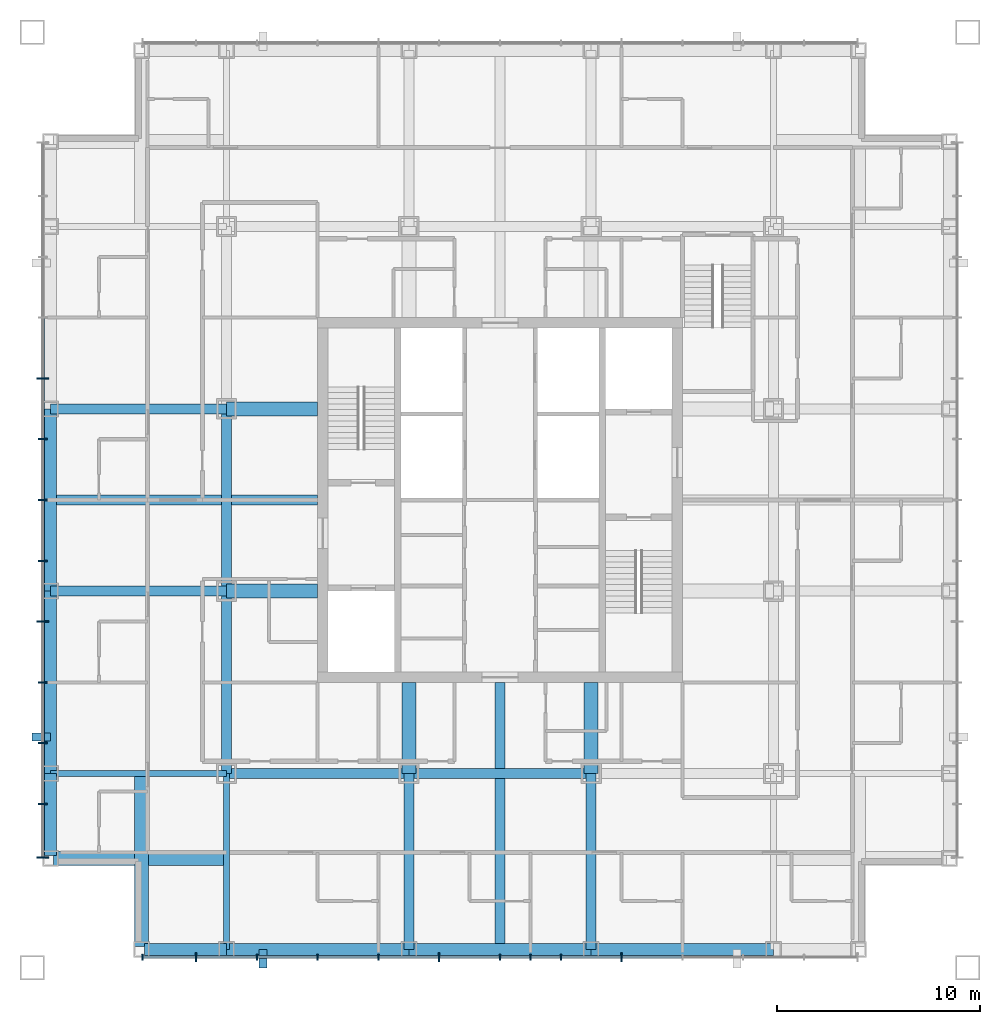
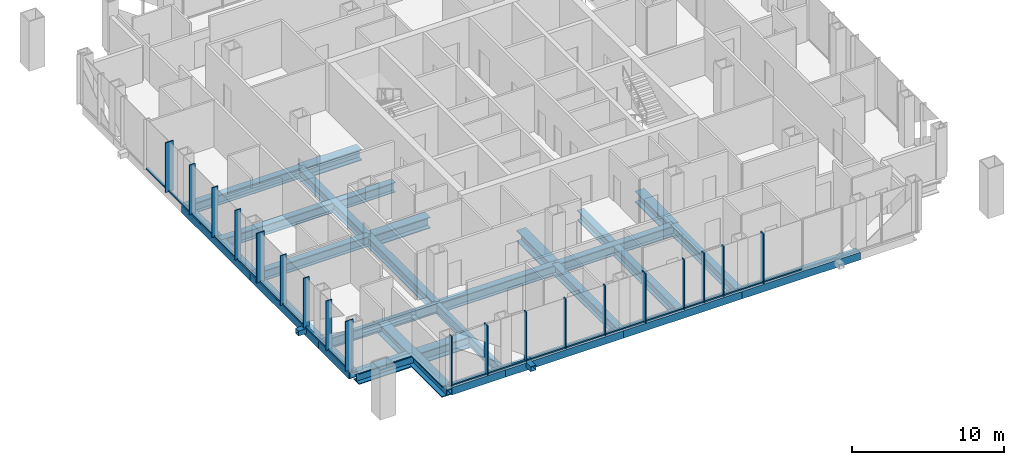
# One storey, part 2 of 11: 40 members, 25 beams, 2 elements without a shape of their own.
"""IFC4 building model written with IfcOpenShell, lengths in metres."""

from ifc_helpers import new_model, si_unit, direction, frame, origin, origin_2d, place, context, subcontext, project, spatial, rectangle, hollow_rectangle, i_section, extrude, material, layer, layer_set, material_profile, profile_set, type_object, element, aggregate, save


model = new_model("IFC4")

# Units and contexts
model_context = context("Model", 3, precision=1e-05, world=origin(), true_north=direction((0.0, 1.0)))
body_context = subcontext(model_context, "Body", "Model", "MODEL_VIEW")
ifc_project = project(units=[si_unit("LENGTHUNIT", "METRE"), si_unit("AREAUNIT", "SQUARE_METRE"), si_unit("VOLUMEUNIT", "CUBIC_METRE"), si_unit("PLANEANGLEUNIT", "RADIAN"), si_unit("MASSUNIT", "GRAM", prefix="KILO")], contexts=[model_context])

# Site, building, storey
site_placement = place(None, origin())
site = spatial("IfcSite", under=ifc_project, at=site_placement, CompositionType="ELEMENT")
building_placement = place(site_placement, origin())
building = spatial("IfcBuilding", under=site, at=building_placement, Name="Malebo Sky Hospital", CompositionType="ELEMENT")
storey_placement = place(building_placement, frame((0.0, 0.0, 201.0)))
storey = spatial("IfcBuildingStorey", under=building, at=storey_placement, Name="L48", CompositionType="ELEMENT", Elevation=201.0)

# Curtain wall, members
ifc_material_1 = material(Name="Anodised aluminium, natural silver", Category="aluminium")
ifc_layer_1 = layer(ifc_material_1, 0.25)
ifc_layer_set_1 = layer_set([ifc_layer_1], Name="WARD CURTAIN WALL EAST AND WEST")
curtain_wall_type_1 = type_object("IfcCurtainWallType", Name="WARD CURTAIN WALL EAST AND WEST", PredefinedType="NOTDEFINED", material=ifc_layer_set_1)
curtain_wall_1_placement = place(storey_placement, origin())
curtain_wall_1 = element("IfcCurtainWall", 1, at=curtain_wall_1_placement, inside=storey, type_object=curtain_wall_type_1, Name="EW curtain wall W", PredefinedType="NOTDEFINED")
ifc_material_profile_1 = material_profile(ifc_material_1, rectangle(XDim=0.14990234375, YDim=0.10009765625, at=origin_2d()), Name="ALUMINIUM TRANSOM 150x100")
ifc_profile_set_1 = profile_set([ifc_material_profile_1], Name="Anodised aluminium, natural silver")
member_type_1 = type_object("IfcMemberType", Name="ALUMINIUM TRANSOM 150x100", PredefinedType="USERDEFINED", material=ifc_profile_set_1)
member_1_placement = place(storey_placement, frame((37.425048828125, 44.375, 0.050048828125), z_axis=(0.0, 1.0, 0.0), x_axis=(-1.0, 0.0, 0.0)))
member_1 = element("IfcMember", 2, at=member_1_placement, type_object=member_type_1, Name="Transom 1", ObjectType="TRANSOM", PredefinedType="USERDEFINED", context=body_context, shape_type="SweptSolid", body=[
    extrude(rectangle(XDim=0.14990234375, YDim=0.10009765625, at=origin_2d()), origin(), (0.0, 0.0, 1.0), 2.58740234375),
])
member_2_placement = place(storey_placement, frame((37.425048828125, 47.03759765625, 0.050048828125), z_axis=(0.0, 1.0, 0.0), x_axis=(-1.0, 0.0, 0.0)))
member_2 = element("IfcMember", 3, at=member_2_placement, type_object=member_type_1, Name="Transom 2", ObjectType="TRANSOM", PredefinedType="USERDEFINED", context=body_context, shape_type="SweptSolid", body=[
    extrude(rectangle(XDim=0.14990234375, YDim=0.10009765625, at=origin_2d()), origin(), (0.0, 0.0, 1.0), 2.9248046875),
])
member_3_placement = place(storey_placement, frame((37.425048828125, 50.03759765625, 0.050048828125), z_axis=(0.0, 1.0, 0.0), x_axis=(-1.0, 0.0, 0.0)))
member_3 = element("IfcMember", 4, at=member_3_placement, type_object=member_type_1, Name="Transom 3", ObjectType="TRANSOM", PredefinedType="USERDEFINED", context=body_context, shape_type="SweptSolid", body=[
    extrude(rectangle(XDim=0.14990234375, YDim=0.10009765625, at=origin_2d()), origin(), (0.0, 0.0, 1.0), 2.9248046875),
])
member_4_placement = place(storey_placement, frame((37.425048828125, 53.03759765625, 0.050048828125), z_axis=(0.0, 1.0, 0.0), x_axis=(-1.0, 0.0, 0.0)))
member_4 = element("IfcMember", 5, at=member_4_placement, type_object=member_type_1, Name="Transom 4", ObjectType="TRANSOM", PredefinedType="USERDEFINED", context=body_context, shape_type="SweptSolid", body=[
    extrude(rectangle(XDim=0.14990234375, YDim=0.10009765625, at=origin_2d()), origin(), (0.0, 0.0, 1.0), 2.9248046875),
])
member_5_placement = place(storey_placement, frame((37.425048828125, 56.03759765625, 0.050048828125), z_axis=(0.0, 1.0, 0.0), x_axis=(-1.0, 0.0, 0.0)))
member_5 = element("IfcMember", 6, at=member_5_placement, type_object=member_type_1, Name="Transom 5", ObjectType="TRANSOM", PredefinedType="USERDEFINED", context=body_context, shape_type="SweptSolid", body=[
    extrude(rectangle(XDim=0.14990234375, YDim=0.10009765625, at=origin_2d()), origin(), (0.0, 0.0, 1.0), 2.9248046875),
])
member_6_placement = place(storey_placement, frame((37.425048828125, 59.03759765625, 0.050048828125), z_axis=(0.0, 1.0, 0.0), x_axis=(-1.0, 0.0, 0.0)))
member_6 = element("IfcMember", 7, at=member_6_placement, type_object=member_type_1, Name="Transom 6", ObjectType="TRANSOM", PredefinedType="USERDEFINED", context=body_context, shape_type="SweptSolid", body=[
    extrude(rectangle(XDim=0.14990234375, YDim=0.10009765625, at=origin_2d()), origin(), (0.0, 0.0, 1.0), 2.9248046875),
])
member_7_placement = place(storey_placement, frame((37.425048828125, 62.03759765625, 0.050048828125), z_axis=(0.0, 1.0, 0.0), x_axis=(-1.0, 0.0, 0.0)))
member_7 = element("IfcMember", 8, at=member_7_placement, type_object=member_type_1, Name="Transom 7", ObjectType="TRANSOM", PredefinedType="USERDEFINED", context=body_context, shape_type="SweptSolid", body=[
    extrude(rectangle(XDim=0.14990234375, YDim=0.10009765625, at=origin_2d()), origin(), (0.0, 0.0, 1.0), 2.9248046875),
])
member_8_placement = place(storey_placement, frame((37.425048828125, 65.03759765625, 0.050048828125), z_axis=(0.0, 1.0, 0.0), x_axis=(-1.0, 0.0, 0.0)))
member_8 = element("IfcMember", 9, at=member_8_placement, type_object=member_type_1, Name="Transom 8", ObjectType="TRANSOM", PredefinedType="USERDEFINED", context=body_context, shape_type="SweptSolid", body=[
    extrude(rectangle(XDim=0.14990234375, YDim=0.10009765625, at=origin_2d()), origin(), (0.0, 0.0, 1.0), 2.9248046875),
])
member_9_placement = place(storey_placement, frame((37.425048828125, 68.03759765625, 0.050048828125), z_axis=(0.0, 1.0, 0.0), x_axis=(-1.0, 0.0, 0.0)))
member_9 = element("IfcMember", 10, at=member_9_placement, type_object=member_type_1, Name="Transom 9", ObjectType="TRANSOM", PredefinedType="USERDEFINED", context=body_context, shape_type="SweptSolid", body=[
    extrude(rectangle(XDim=0.14990234375, YDim=0.10009765625, at=origin_2d()), origin(), (0.0, 0.0, 1.0), 2.9248046875),
])

ifc_layer_2 = layer(ifc_material_1, 0.25)
ifc_layer_set_2 = layer_set([ifc_layer_2], Name="WARD CURTAIN WALL NORTH AND SOUTH")
curtain_wall_type_2 = type_object("IfcCurtainWallType", Name="WARD CURTAIN WALL NORTH AND SOUTH", PredefinedType="NOTDEFINED", material=ifc_layer_set_2)
curtain_wall_2_placement = place(storey_placement, origin())
curtain_wall_2 = element("IfcCurtainWall", 11, at=curtain_wall_2_placement, inside=storey, type_object=curtain_wall_type_2, Name="NS curtain wall S", PredefinedType="NOTDEFINED")
member_10_placement = place(storey_placement, frame((68.96240234375, 39.425048828125, 0.050048828125), z_axis=(-1.0, 0.0, 0.0), x_axis=(0.0, -1.0, 0.0)))
member_10 = element("IfcMember", 12, at=member_10_placement, type_object=member_type_1, Name="Transom 4", ObjectType="TRANSOM", PredefinedType="USERDEFINED", context=body_context, shape_type="SweptSolid", body=[
    extrude(rectangle(XDim=0.14990234375, YDim=0.10009765625, at=origin_2d()), origin(), (0.0, 0.0, 1.0), 2.9248046875),
])
member_11_placement = place(storey_placement, frame((65.96240234375, 39.425048828125, 0.050048828125), z_axis=(-1.0, 0.0, 0.0), x_axis=(0.0, -1.0, 0.0)))
member_11 = element("IfcMember", 13, at=member_11_placement, type_object=member_type_1, Name="Transom 5", ObjectType="TRANSOM", PredefinedType="USERDEFINED", context=body_context, shape_type="SweptSolid", body=[
    extrude(rectangle(XDim=0.14990234375, YDim=0.10009765625, at=origin_2d()), origin(), (0.0, 0.0, 1.0), 2.9248046875),
])
member_12_placement = place(storey_placement, frame((62.96240234375, 39.425048828125, 0.050048828125), z_axis=(-1.0, 0.0, 0.0), x_axis=(0.0, -1.0, 0.0)))
member_12 = element("IfcMember", 14, at=member_12_placement, type_object=member_type_1, Name="Transom 6", ObjectType="TRANSOM", PredefinedType="USERDEFINED", context=body_context, shape_type="SweptSolid", body=[
    extrude(rectangle(XDim=0.14990234375, YDim=0.10009765625, at=origin_2d()), origin(), (0.0, 0.0, 1.0), 1.4248046875),
])
member_13_placement = place(storey_placement, frame((61.46240234375, 39.425048828125, 0.050048828125), z_axis=(-1.0, 0.0, 0.0), x_axis=(0.0, -1.0, 0.0)))
member_13 = element("IfcMember", 15, at=member_13_placement, type_object=member_type_1, Name="Transom 7", ObjectType="TRANSOM", PredefinedType="USERDEFINED", context=body_context, shape_type="SweptSolid", body=[
    extrude(rectangle(XDim=0.14990234375, YDim=0.10009765625, at=origin_2d()), origin(), (0.0, 0.0, 1.0), 1.4248046875),
])
member_14_placement = place(storey_placement, frame((59.96240234375, 39.425048828125, 0.050048828125), z_axis=(-1.0, 0.0, 0.0), x_axis=(0.0, -1.0, 0.0)))
member_14 = element("IfcMember", 16, at=member_14_placement, type_object=member_type_1, Name="Transom 8", ObjectType="TRANSOM", PredefinedType="USERDEFINED", context=body_context, shape_type="SweptSolid", body=[
    extrude(rectangle(XDim=0.14990234375, YDim=0.10009765625, at=origin_2d()), origin(), (0.0, 0.0, 1.0), 2.9248046875),
])
member_15_placement = place(storey_placement, frame((56.96240234375, 39.425048828125, 0.050048828125), z_axis=(-1.0, 0.0, 0.0), x_axis=(0.0, -1.0, 0.0)))
member_15 = element("IfcMember", 17, at=member_15_placement, type_object=member_type_1, Name="Transom 9", ObjectType="TRANSOM", PredefinedType="USERDEFINED", context=body_context, shape_type="SweptSolid", body=[
    extrude(rectangle(XDim=0.14990234375, YDim=0.10009765625, at=origin_2d()), origin(), (0.0, 0.0, 1.0), 2.9248046875),
])
member_16_placement = place(storey_placement, frame((53.96240234375, 39.425048828125, 0.050048828125), z_axis=(-1.0, 0.0, 0.0), x_axis=(0.0, -1.0, 0.0)))
member_16 = element("IfcMember", 18, at=member_16_placement, type_object=member_type_1, Name="Transom 10", ObjectType="TRANSOM", PredefinedType="USERDEFINED", context=body_context, shape_type="SweptSolid", body=[
    extrude(rectangle(XDim=0.14990234375, YDim=0.10009765625, at=origin_2d()), origin(), (0.0, 0.0, 1.0), 2.9248046875),
])
member_17_placement = place(storey_placement, frame((50.96240234375, 39.425048828125, 0.050048828125), z_axis=(-1.0, 0.0, 0.0), x_axis=(0.0, -1.0, 0.0)))
member_17 = element("IfcMember", 19, at=member_17_placement, type_object=member_type_1, Name="Transom 11", ObjectType="TRANSOM", PredefinedType="USERDEFINED", context=body_context, shape_type="SweptSolid", body=[
    extrude(rectangle(XDim=0.14990234375, YDim=0.10009765625, at=origin_2d()), origin(), (0.0, 0.0, 1.0), 2.9248046875),
])
member_18_placement = place(storey_placement, frame((47.96240234375, 39.425048828125, 0.050048828125), z_axis=(-1.0, 0.0, 0.0), x_axis=(0.0, -1.0, 0.0)))
member_18 = element("IfcMember", 20, at=member_18_placement, type_object=member_type_1, Name="Transom 12", ObjectType="TRANSOM", PredefinedType="USERDEFINED", context=body_context, shape_type="SweptSolid", body=[
    extrude(rectangle(XDim=0.14990234375, YDim=0.10009765625, at=origin_2d()), origin(), (0.0, 0.0, 1.0), 2.9248046875),
])
member_19_placement = place(storey_placement, frame((44.96240234375, 39.425048828125, 0.050048828125), z_axis=(-1.0, 0.0, 0.0), x_axis=(0.0, -1.0, 0.0)))
member_19 = element("IfcMember", 21, at=member_19_placement, type_object=member_type_1, Name="Transom 13", ObjectType="TRANSOM", PredefinedType="USERDEFINED", context=body_context, shape_type="SweptSolid", body=[
    extrude(rectangle(XDim=0.14990234375, YDim=0.10009765625, at=origin_2d()), origin(), (0.0, 0.0, 1.0), 2.58740234375),
])

# Members
ifc_material_2 = material(Name="Steel S355", Category="steel")
ifc_material_profile_2 = material_profile(ifc_material_2, hollow_rectangle(XDim=0.39990234375, YDim=0.39990234375, WallThickness=0.02001953125, at=origin_2d()), Name="SHS 400x20")
ifc_profile_set_2 = profile_set([ifc_material_profile_2], Name="Steel S355")
member_type_2 = type_object("IfcMemberType", Name="BRACE STRUT SHS 400x20", PredefinedType="STRUT", material=ifc_profile_set_2)
for number, where, z_axis, x_axis, name in (
    (22, (48.289794921875, 38.89990234375, -0.39990234375), (0.0, 1.0, 0.0), (-1.0, 0.0, 0.0), "Brace strut CS2 L48"),
    (23, (36.89990234375, 50.289794921875, -0.39990234375), (1.0, 0.0, 0.0), (0.0, 1.0, 0.0), "Brace strut CW1 L48"),
):
    element("IfcMember", number, at=place(storey_placement, frame(where, z_axis=z_axis, x_axis=x_axis)), inside=storey, type_object=member_type_2, Name=name, PredefinedType="STRUT", context=body_context, shape_type="SweptSolid", body=[
        extrude(hollow_rectangle(XDim=0.39990234375, YDim=0.39990234375, WallThickness=0.02001953125, at=origin_2d()), origin(), (0.0, 0.0, 1.0), 0.900146484375),
    ])

# Member
ifc_material_profile_3 = material_profile(ifc_material_1, rectangle(XDim=0.074951171875, YDim=0.300048828125, at=origin_2d()), Name="CW1 ALUMINIUM FIN MULLION 75x300")
ifc_profile_set_3 = profile_set([ifc_material_profile_3], Name="Anodised aluminium, natural silver")
member_type_3 = type_object("IfcMemberType", Name="CW1 ALUMINIUM FIN MULLION 75x300", PredefinedType="MULLION", material=ifc_profile_set_3)
member_20_placement = place(storey_placement, frame((63.0, 39.425048828125, 0.0), z_axis=(0.0, 0.0, 1.0), x_axis=(-1.0, 0.0, 0.0)))
member_20 = element("IfcMember", 24, at=member_20_placement, type_object=member_type_3, Name="Fin mullion 6", PredefinedType="MULLION", context=body_context, shape_type="SweptSolid", body=[
    extrude(rectangle(XDim=0.074951171875, YDim=0.300048828125, at=origin_2d()), origin(), (0.0, 0.0, 1.0), 4.0),
])

member_21_placement = place(storey_placement, frame((61.5, 39.425048828125, 0.0), z_axis=(0.0, 0.0, 1.0), x_axis=(-1.0, 0.0, 0.0)))
member_21 = element("IfcMember", 25, at=member_21_placement, type_object=member_type_3, Name="Fin mullion 7", PredefinedType="MULLION", context=body_context, shape_type="SweptSolid", body=[
    extrude(rectangle(XDim=0.074951171875, YDim=0.300048828125, at=origin_2d()), origin(), (0.0, 0.0, 1.0), 4.0),
])

member_22_placement = place(storey_placement, frame((60.0, 39.425048828125, 0.0), z_axis=(0.0, 0.0, 1.0), x_axis=(-1.0, 0.0, 0.0)))
member_22 = element("IfcMember", 26, at=member_22_placement, type_object=member_type_3, Name="Fin mullion 8", PredefinedType="MULLION", context=body_context, shape_type="SweptSolid", body=[
    extrude(rectangle(XDim=0.074951171875, YDim=0.300048828125, at=origin_2d()), origin(), (0.0, 0.0, 1.0), 4.0),
])

member_23_placement = place(storey_placement, frame((54.0, 39.425048828125, 0.0), z_axis=(0.0, 0.0, 1.0), x_axis=(-1.0, 0.0, 0.0)))
member_23 = element("IfcMember", 27, at=member_23_placement, type_object=member_type_3, Name="Fin mullion 10", PredefinedType="MULLION", context=body_context, shape_type="SweptSolid", body=[
    extrude(rectangle(XDim=0.074951171875, YDim=0.300048828125, at=origin_2d()), origin(), (0.0, 0.0, 1.0), 4.0),
])

member_24_placement = place(storey_placement, frame((51.0, 39.425048828125, 0.0), z_axis=(0.0, 0.0, 1.0), x_axis=(-1.0, 0.0, 0.0)))
member_24 = element("IfcMember", 28, at=member_24_placement, type_object=member_type_3, Name="Fin mullion 11", PredefinedType="MULLION", context=body_context, shape_type="SweptSolid", body=[
    extrude(rectangle(XDim=0.074951171875, YDim=0.300048828125, at=origin_2d()), origin(), (0.0, 0.0, 1.0), 4.0),
])

member_25_placement = place(storey_placement, frame((48.0, 39.425048828125, 0.0), z_axis=(0.0, 0.0, 1.0), x_axis=(-1.0, 0.0, 0.0)))
member_25 = element("IfcMember", 29, at=member_25_placement, type_object=member_type_3, Name="Fin mullion 12", PredefinedType="MULLION", context=body_context, shape_type="SweptSolid", body=[
    extrude(rectangle(XDim=0.074951171875, YDim=0.300048828125, at=origin_2d()), origin(), (0.0, 0.0, 1.0), 4.0),
])

member_26_placement = place(storey_placement, frame((42.33740234375, 39.425048828125, 0.0), z_axis=(0.0, 0.0, 1.0), x_axis=(-1.0, 0.0, 0.0)))
member_26 = element("IfcMember", 30, at=member_26_placement, type_object=member_type_3, Name="Fin mullion 14", PredefinedType="MULLION", context=body_context, shape_type="SweptSolid", body=[
    extrude(rectangle(XDim=0.074951171875, YDim=0.300048828125, at=origin_2d()), origin(), (0.0, 0.0, 1.0), 4.0),
])

ifc_material_profile_4 = material_profile(ifc_material_1, rectangle(XDim=0.074951171875, YDim=0.449951171875, at=origin_2d()), Name="CW1 ALUMINIUM FIN MULLION 75x450")
ifc_profile_set_4 = profile_set([ifc_material_profile_4], Name="Anodised aluminium, natural silver")
member_type_4 = type_object("IfcMemberType", Name="CW1 ALUMINIUM FIN MULLION 75x450", PredefinedType="MULLION", material=ifc_profile_set_4)
member_27_placement = place(storey_placement, frame((66.0, 39.425048828125, 0.0), z_axis=(0.0, 0.0, 1.0), x_axis=(-1.0, 0.0, 0.0)))
member_27 = element("IfcMember", 31, at=member_27_placement, type_object=member_type_4, Name="Fin mullion 5", PredefinedType="MULLION", context=body_context, shape_type="SweptSolid", body=[
    extrude(rectangle(XDim=0.074951171875, YDim=0.449951171875, at=origin_2d()), origin(), (0.0, 0.0, 1.0), 4.0),
])

member_28_placement = place(storey_placement, frame((57.0, 39.425048828125, 0.0), z_axis=(0.0, 0.0, 1.0), x_axis=(-1.0, 0.0, 0.0)))
member_28 = element("IfcMember", 32, at=member_28_placement, type_object=member_type_4, Name="Fin mullion 9", PredefinedType="MULLION", context=body_context, shape_type="SweptSolid", body=[
    extrude(rectangle(XDim=0.074951171875, YDim=0.449951171875, at=origin_2d()), origin(), (0.0, 0.0, 1.0), 4.0),
])

member_29_placement = place(storey_placement, frame((45.0, 39.425048828125, 0.0), z_axis=(0.0, 0.0, 1.0), x_axis=(-1.0, 0.0, 0.0)))
member_29 = element("IfcMember", 33, at=member_29_placement, type_object=member_type_4, Name="Fin mullion 13", PredefinedType="MULLION", context=body_context, shape_type="SweptSolid", body=[
    extrude(rectangle(XDim=0.074951171875, YDim=0.449951171875, at=origin_2d()), origin(), (0.0, 0.0, 1.0), 4.0),
])

aggregate(curtain_wall_2, [member_27, member_20, member_21, member_22, member_28, member_23, member_24, member_25, member_29, member_26, member_10, member_11, member_12, member_13, member_14, member_15, member_16, member_17, member_18, member_19])

ifc_material_profile_5 = material_profile(ifc_material_1, rectangle(XDim=0.074951171875, YDim=0.449951171875, at=origin_2d()), Name="CW2 ALUMINIUM FIN MULLION 75x450")
ifc_profile_set_5 = profile_set([ifc_material_profile_5], Name="Anodised aluminium, natural silver")
member_type_5 = type_object("IfcMemberType", Name="CW2 ALUMINIUM FIN MULLION 75x450", PredefinedType="MULLION", material=ifc_profile_set_5)
member_30_placement = place(storey_placement, frame((37.425048828125, 47.0, 0.0), z_axis=(0.0, 0.0, 1.0), x_axis=(0.0, 1.0, 0.0)))
member_30 = element("IfcMember", 34, at=member_30_placement, type_object=member_type_5, Name="Fin mullion 2", PredefinedType="MULLION", context=body_context, shape_type="SweptSolid", body=[
    extrude(rectangle(XDim=0.074951171875, YDim=0.449951171875, at=origin_2d()), origin(), (0.0, 0.0, 1.0), 4.0),
])

member_31_placement = place(storey_placement, frame((37.425048828125, 50.0, 0.0), z_axis=(0.0, 0.0, 1.0), x_axis=(0.0, 1.0, 0.0)))
member_31 = element("IfcMember", 35, at=member_31_placement, type_object=member_type_5, Name="Fin mullion 3", PredefinedType="MULLION", context=body_context, shape_type="SweptSolid", body=[
    extrude(rectangle(XDim=0.074951171875, YDim=0.449951171875, at=origin_2d()), origin(), (0.0, 0.0, 1.0), 4.0),
])

member_32_placement = place(storey_placement, frame((37.425048828125, 53.0, 0.0), z_axis=(0.0, 0.0, 1.0), x_axis=(0.0, 1.0, 0.0)))
member_32 = element("IfcMember", 36, at=member_32_placement, type_object=member_type_5, Name="Fin mullion 4", PredefinedType="MULLION", context=body_context, shape_type="SweptSolid", body=[
    extrude(rectangle(XDim=0.074951171875, YDim=0.449951171875, at=origin_2d()), origin(), (0.0, 0.0, 1.0), 4.0),
])

member_33_placement = place(storey_placement, frame((37.425048828125, 59.0, 0.0), z_axis=(0.0, 0.0, 1.0), x_axis=(0.0, 1.0, 0.0)))
member_33 = element("IfcMember", 37, at=member_33_placement, type_object=member_type_5, Name="Fin mullion 6", PredefinedType="MULLION", context=body_context, shape_type="SweptSolid", body=[
    extrude(rectangle(XDim=0.074951171875, YDim=0.449951171875, at=origin_2d()), origin(), (0.0, 0.0, 1.0), 4.0),
])

member_34_placement = place(storey_placement, frame((37.425048828125, 62.0, 0.0), z_axis=(0.0, 0.0, 1.0), x_axis=(0.0, 1.0, 0.0)))
member_34 = element("IfcMember", 38, at=member_34_placement, type_object=member_type_5, Name="Fin mullion 7", PredefinedType="MULLION", context=body_context, shape_type="SweptSolid", body=[
    extrude(rectangle(XDim=0.074951171875, YDim=0.449951171875, at=origin_2d()), origin(), (0.0, 0.0, 1.0), 4.0),
])

member_35_placement = place(storey_placement, frame((37.425048828125, 65.0, 0.0), z_axis=(0.0, 0.0, 1.0), x_axis=(0.0, 1.0, 0.0)))
member_35 = element("IfcMember", 39, at=member_35_placement, type_object=member_type_5, Name="Fin mullion 8", PredefinedType="MULLION", context=body_context, shape_type="SweptSolid", body=[
    extrude(rectangle(XDim=0.074951171875, YDim=0.449951171875, at=origin_2d()), origin(), (0.0, 0.0, 1.0), 4.0),
])

ifc_material_profile_6 = material_profile(ifc_material_1, rectangle(XDim=0.074951171875, YDim=0.60009765625, at=origin_2d()), Name="CW2 ALUMINIUM FIN MULLION 75x600")
ifc_profile_set_6 = profile_set([ifc_material_profile_6], Name="Anodised aluminium, natural silver")
member_type_6 = type_object("IfcMemberType", Name="CW2 ALUMINIUM FIN MULLION 75x600", PredefinedType="MULLION", material=ifc_profile_set_6)
member_36_placement = place(storey_placement, frame((37.425048828125, 44.33740234375, 0.0), z_axis=(0.0, 0.0, 1.0), x_axis=(0.0, 1.0, 0.0)))
member_36 = element("IfcMember", 40, at=member_36_placement, type_object=member_type_6, Name="Fin mullion 1", PredefinedType="MULLION", context=body_context, shape_type="SweptSolid", body=[
    extrude(rectangle(XDim=0.074951171875, YDim=0.60009765625, at=origin_2d()), origin(), (0.0, 0.0, 1.0), 4.0),
])

member_37_placement = place(storey_placement, frame((37.425048828125, 56.0, 0.0), z_axis=(0.0, 0.0, 1.0), x_axis=(0.0, 1.0, 0.0)))
member_37 = element("IfcMember", 41, at=member_37_placement, type_object=member_type_6, Name="Fin mullion 5", PredefinedType="MULLION", context=body_context, shape_type="SweptSolid", body=[
    extrude(rectangle(XDim=0.074951171875, YDim=0.60009765625, at=origin_2d()), origin(), (0.0, 0.0, 1.0), 4.0),
])

member_38_placement = place(storey_placement, frame((37.425048828125, 68.0, 0.0), z_axis=(0.0, 0.0, 1.0), x_axis=(0.0, 1.0, 0.0)))
member_38 = element("IfcMember", 42, at=member_38_placement, type_object=member_type_6, Name="Fin mullion 9", PredefinedType="MULLION", context=body_context, shape_type="SweptSolid", body=[
    extrude(rectangle(XDim=0.074951171875, YDim=0.60009765625, at=origin_2d()), origin(), (0.0, 0.0, 1.0), 4.0),
])

aggregate(curtain_wall_1, [member_36, member_30, member_31, member_32, member_37, member_33, member_34, member_35, member_38, member_1, member_2, member_3, member_4, member_5, member_6, member_7, member_8, member_9])

# Beams
ifc_material_3 = material(Name="Steel S460", Category="steel")
ifc_material_profile_7 = material_profile(ifc_material_3, hollow_rectangle(XDim=0.60009765625, YDim=0.60009765625, WallThickness=0.0400390625, at=origin_2d()), Name="BOX 600x600x40")
ifc_profile_set_7 = profile_set([ifc_material_profile_7], Name="Steel S460")
beam_type_1 = type_object("IfcBeamType", Name="EDGE BEAM BOX 600x600x40", PredefinedType="BEAM", material=ifc_profile_set_7)
beam_1_placement = place(storey_placement, frame((37.800048828125, 44.449951171875, -0.550048828125), z_axis=(0.0, 1.0, 0.0), x_axis=(-1.0, 0.0, 0.0)))
element("IfcBeam", 43, at=beam_1_placement, inside=storey, type_object=beam_type_1, Name="Beam 000 L48", PredefinedType="BEAM", context=body_context, shape_type="SweptSolid", body=[
    extrude(hollow_rectangle(XDim=0.60009765625, YDim=0.60009765625, WallThickness=0.0400390625, at=origin_2d()), origin(), (0.0, 0.0, 1.0), 4.050048828125),
])
for number, where, z_axis, x_axis, name in (
    (44, (37.800048828125, 48.5, -0.550048828125), (0.0, 1.0, 0.0), (-1.0, 0.0, 0.0), "Beam 001 L48"),
    (45, (37.800048828125, 57.5, -0.550048828125), (0.0, 1.0, 0.0), (-1.0, 0.0, 0.0), "Beam 002 L48"),
):
    element("IfcBeam", number, at=place(storey_placement, frame(where, z_axis=z_axis, x_axis=x_axis)), inside=storey, type_object=beam_type_1, Name=name, PredefinedType="BEAM", context=body_context, shape_type="SweptSolid", body=[
        extrude(hollow_rectangle(XDim=0.60009765625, YDim=0.60009765625, WallThickness=0.0400390625, at=origin_2d()), origin(), (0.0, 0.0, 1.0), 9.0),
    ])
beam_2_placement = place(storey_placement, frame((42.449951171875, 39.800048828125, -0.550048828125), z_axis=(1.0, 0.0, 0.0), x_axis=(0.0, 1.0, 0.0)))
element("IfcBeam", 46, at=beam_2_placement, inside=storey, type_object=beam_type_1, Name="Beam 034 L48", PredefinedType="BEAM", context=body_context, shape_type="SweptSolid", body=[
    extrude(hollow_rectangle(XDim=0.60009765625, YDim=0.60009765625, WallThickness=0.0400390625, at=origin_2d()), origin(), (0.0, 0.0, 1.0), 4.050048828125),
])
for number, where, z_axis, x_axis, name in (
    (47, (46.5, 39.800048828125, -0.550048828125), (1.0, 0.0, 0.0), (0.0, 1.0, 0.0), "Beam 035 L48"),
    (48, (55.5, 39.800048828125, -0.550048828125), (1.0, 0.0, 0.0), (0.0, 1.0, 0.0), "Beam 036 L48"),
    (49, (64.5, 39.800048828125, -0.550048828125), (1.0, 0.0, 0.0), (0.0, 1.0, 0.0), "Beam 037 L48"),
):
    element("IfcBeam", number, at=place(storey_placement, frame(where, z_axis=z_axis, x_axis=x_axis)), inside=storey, type_object=beam_type_1, Name=name, PredefinedType="BEAM", context=body_context, shape_type="SweptSolid", body=[
        extrude(hollow_rectangle(XDim=0.60009765625, YDim=0.60009765625, WallThickness=0.0400390625, at=origin_2d()), origin(), (0.0, 0.0, 1.0), 9.0),
    ])
ifc_material_profile_8 = material_profile(ifc_material_2, i_section(OverallWidth=0.5, OverallDepth=0.800048828125, WebThickness=0.030029296875, FlangeThickness=0.050048828125, at=origin_2d()), Name="PG 800x500x30x50")
ifc_profile_set_8 = profile_set([ifc_material_profile_8], Name="Steel S355")
beam_type_2 = type_object("IfcBeamType", Name="FLOOR BEAM PG 800x500x30x50", PredefinedType="BEAM", material=ifc_profile_set_8)
beam_3_placement = place(storey_placement, frame((46.5, 48.5, -0.64990234375), z_axis=(0.0, 1.0, 0.0), x_axis=(-1.0, 0.0, 0.0)))
element("IfcBeam", 50, at=beam_3_placement, inside=storey, type_object=beam_type_2, Name="Beam 008 L48", PredefinedType="BEAM", context=body_context, shape_type="SweptSolid", body=[
    extrude(i_section(OverallWidth=0.5, OverallDepth=0.800048828125, WebThickness=0.030029296875, FlangeThickness=0.050048828125, at=origin_2d()), origin(), (0.0, 0.0, 1.0), 9.0),
])
beam_4_placement = place(storey_placement, frame((55.5, 39.800048828125, -0.64990234375), z_axis=(0.0, 1.0, 0.0), x_axis=(-1.0, 0.0, 0.0)))
element("IfcBeam", 51, at=beam_4_placement, inside=storey, type_object=beam_type_2, Name="Beam 012 L48", PredefinedType="BEAM", context=body_context, shape_type="SweptSolid", body=[
    extrude(i_section(OverallWidth=0.5, OverallDepth=0.800048828125, WebThickness=0.030029296875, FlangeThickness=0.050048828125, at=origin_2d()), origin(), (0.0, 0.0, 1.0), 8.699951171875),
])
beam_5_placement = place(storey_placement, frame((60.0, 39.800048828125, -0.64990234375), z_axis=(0.0, 1.0, 0.0), x_axis=(-1.0, 0.0, 0.0)))
element("IfcBeam", 52, at=beam_5_placement, inside=storey, type_object=beam_type_2, Name="Beam 016 L48", PredefinedType="BEAM", context=body_context, shape_type="SweptSolid", body=[
    extrude(i_section(OverallWidth=0.5, OverallDepth=0.800048828125, WebThickness=0.030029296875, FlangeThickness=0.050048828125, at=origin_2d()), origin(), (0.0, 0.0, 1.0), 13.199951171875),
])
beam_6_placement = place(storey_placement, frame((64.5, 39.800048828125, -0.64990234375), z_axis=(0.0, 1.0, 0.0), x_axis=(-1.0, 0.0, 0.0)))
element("IfcBeam", 53, at=beam_6_placement, inside=storey, type_object=beam_type_2, Name="Beam 018 L48", PredefinedType="BEAM", context=body_context, shape_type="SweptSolid", body=[
    extrude(i_section(OverallWidth=0.5, OverallDepth=0.800048828125, WebThickness=0.030029296875, FlangeThickness=0.050048828125, at=origin_2d()), origin(), (0.0, 0.0, 1.0), 8.699951171875),
])
beam_7_placement = place(storey_placement, frame((46.5, 48.5, -0.64990234375), z_axis=(1.0, 0.0, 0.0), x_axis=(0.0, 1.0, 0.0)))
element("IfcBeam", 54, at=beam_7_placement, inside=storey, type_object=beam_type_2, Name="Beam 042 L48", PredefinedType="BEAM", context=body_context, shape_type="SweptSolid", body=[
    extrude(i_section(OverallWidth=0.5, OverallDepth=0.800048828125, WebThickness=0.030029296875, FlangeThickness=0.050048828125, at=origin_2d()), origin(), (0.0, 0.0, 1.0), 9.0),
])
beam_8_placement = place(storey_placement, frame((37.800048828125, 57.5, -0.64990234375), z_axis=(1.0, 0.0, 0.0), x_axis=(0.0, 1.0, 0.0)))
element("IfcBeam", 55, at=beam_8_placement, inside=storey, type_object=beam_type_2, Name="Beam 046 L48", PredefinedType="BEAM", context=body_context, shape_type="SweptSolid", body=[
    extrude(i_section(OverallWidth=0.5, OverallDepth=0.800048828125, WebThickness=0.030029296875, FlangeThickness=0.050048828125, at=origin_2d()), origin(), (0.0, 0.0, 1.0), 8.699951171875),
])
beam_9_placement = place(storey_placement, frame((37.800048828125, 62.0, -0.64990234375), z_axis=(1.0, 0.0, 0.0), x_axis=(0.0, 1.0, 0.0)))
element("IfcBeam", 56, at=beam_9_placement, inside=storey, type_object=beam_type_2, Name="Beam 050 L48", PredefinedType="BEAM", context=body_context, shape_type="SweptSolid", body=[
    extrude(i_section(OverallWidth=0.5, OverallDepth=0.800048828125, WebThickness=0.030029296875, FlangeThickness=0.050048828125, at=origin_2d()), origin(), (0.0, 0.0, 1.0), 13.199951171875),
])
beam_10_placement = place(storey_placement, frame((37.800048828125, 66.5, -0.64990234375), z_axis=(1.0, 0.0, 0.0), x_axis=(0.0, 1.0, 0.0)))
element("IfcBeam", 57, at=beam_10_placement, inside=storey, type_object=beam_type_2, Name="Beam 052 L48", PredefinedType="BEAM", context=body_context, shape_type="SweptSolid", body=[
    extrude(i_section(OverallWidth=0.5, OverallDepth=0.800048828125, WebThickness=0.030029296875, FlangeThickness=0.050048828125, at=origin_2d()), origin(), (0.0, 0.0, 1.0), 8.699951171875),
])
ifc_material_profile_9 = material_profile(ifc_material_2, i_section(OverallWidth=0.699951171875, OverallDepth=0.89990234375, WebThickness=0.0400390625, FlangeThickness=0.070068359375, at=origin_2d()), Name="PG 900x700x40x70")
ifc_profile_set_9 = profile_set([ifc_material_profile_9], Name="Steel S355")
beam_type_3 = type_object("IfcBeamType", Name="FLOOR BEAM PG 900x700x40x70", PredefinedType="BEAM", material=ifc_profile_set_9)
beam_11_placement = place(storey_placement, frame((42.300048828125, 39.949951171875, -0.699951171875), z_axis=(0.0, 1.0, 0.0), x_axis=(-1.0, 0.0, 0.0)))
element("IfcBeam", 58, at=beam_11_placement, inside=storey, type_object=beam_type_3, Name="Beam 005 L48", PredefinedType="BEAM", context=body_context, shape_type="SweptSolid", body=[
    extrude(i_section(OverallWidth=0.699951171875, OverallDepth=0.89990234375, WebThickness=0.0400390625, FlangeThickness=0.070068359375, at=origin_2d()), origin(), (0.0, 0.0, 1.0), 8.550048828125),
])
for number, where, z_axis, x_axis, name in (
    (59, (55.5, 48.5, -0.699951171875), (0.0, 1.0, 0.0), (-1.0, 0.0, 0.0), "Beam 013 L48"),
    (60, (64.5, 48.5, -0.699951171875), (0.0, 1.0, 0.0), (-1.0, 0.0, 0.0), "Beam 019 L48"),
):
    element("IfcBeam", number, at=place(storey_placement, frame(where, z_axis=z_axis, x_axis=x_axis)), inside=storey, type_object=beam_type_3, Name=name, PredefinedType="BEAM", context=body_context, shape_type="SweptSolid", body=[
        extrude(i_section(OverallWidth=0.699951171875, OverallDepth=0.89990234375, WebThickness=0.0400390625, FlangeThickness=0.070068359375, at=origin_2d()), origin(), (0.0, 0.0, 1.0), 4.5),
    ])
beam_12_placement = place(storey_placement, frame((37.949951171875, 44.300048828125, -0.699951171875), z_axis=(1.0, 0.0, 0.0), x_axis=(0.0, 1.0, 0.0)))
element("IfcBeam", 61, at=beam_12_placement, inside=storey, type_object=beam_type_3, Name="Beam 039 L48", PredefinedType="BEAM", context=body_context, shape_type="SweptSolid", body=[
    extrude(i_section(OverallWidth=0.699951171875, OverallDepth=0.89990234375, WebThickness=0.0400390625, FlangeThickness=0.070068359375, at=origin_2d()), origin(), (0.0, 0.0, 1.0), 8.550048828125),
])
for number, where, z_axis, x_axis, name in (
    (62, (46.5, 57.5, -0.699951171875), (1.0, 0.0, 0.0), (0.0, 1.0, 0.0), "Beam 047 L48"),
    (63, (46.5, 66.5, -0.699951171875), (1.0, 0.0, 0.0), (0.0, 1.0, 0.0), "Beam 053 L48"),
):
    element("IfcBeam", number, at=place(storey_placement, frame(where, z_axis=z_axis, x_axis=x_axis)), inside=storey, type_object=beam_type_3, Name=name, PredefinedType="BEAM", context=body_context, shape_type="SweptSolid", body=[
        extrude(i_section(OverallWidth=0.699951171875, OverallDepth=0.89990234375, WebThickness=0.0400390625, FlangeThickness=0.070068359375, at=origin_2d()), origin(), (0.0, 0.0, 1.0), 4.5),
    ])
ifc_material_profile_10 = material_profile(ifc_material_2, i_section(OverallWidth=0.300048828125, OverallDepth=0.800048828125, WebThickness=0.017578125, FlangeThickness=0.032958984375, FilletRadius=0.030029296875, at=origin_2d()), Name="HEB 800")
ifc_profile_set_10 = profile_set([ifc_material_profile_10], Name="Steel S355")
beam_type_4 = type_object("IfcBeamType", Name="FLOOR GIRDER HEB 800", PredefinedType="BEAM", material=ifc_profile_set_10)
for number, where, z_axis, x_axis, name in (
    (64, (46.5, 39.800048828125, -0.64990234375), (0.0, 1.0, 0.0), (-1.0, 0.0, 0.0), "Beam 007 L48"),
    (65, (37.800048828125, 48.5, -0.64990234375), (1.0, 0.0, 0.0), (0.0, 1.0, 0.0), "Beam 041 L48"),
):
    element("IfcBeam", number, at=place(storey_placement, frame(where, z_axis=z_axis, x_axis=x_axis)), inside=storey, type_object=beam_type_4, Name=name, PredefinedType="BEAM", context=body_context, shape_type="SweptSolid", body=[
        extrude(i_section(OverallWidth=0.300048828125, OverallDepth=0.800048828125, WebThickness=0.017578125, FlangeThickness=0.032958984375, FilletRadius=0.030029296875, at=origin_2d()), origin(), (0.0, 0.0, 1.0), 8.699951171875),
    ])
ifc_material_profile_11 = material_profile(ifc_material_2, i_section(OverallWidth=0.5, OverallDepth=0.800048828125, WebThickness=0.030029296875, FlangeThickness=0.050048828125, at=origin_2d()), Name="PG 800x500x30x50")
ifc_profile_set_11 = profile_set([ifc_material_profile_11], Name="Steel S355")
beam_type_5 = type_object("IfcBeamType", Name="RING GIRDER PG 800x500x30x50", PredefinedType="BEAM", material=ifc_profile_set_11)
for number, where, z_axis, x_axis, name in (
    (66, (46.5, 57.5, -0.64990234375), (0.0, 1.0, 0.0), (-1.0, 0.0, 0.0), "Beam 009 L48"),
    (67, (55.5, 48.5, -0.64990234375), (1.0, 0.0, 0.0), (0.0, 1.0, 0.0), "Beam 043 L48"),
):
    element("IfcBeam", number, at=place(storey_placement, frame(where, z_axis=z_axis, x_axis=x_axis)), inside=storey, type_object=beam_type_5, Name=name, PredefinedType="BEAM", context=body_context, shape_type="SweptSolid", body=[
        extrude(i_section(OverallWidth=0.5, OverallDepth=0.800048828125, WebThickness=0.030029296875, FlangeThickness=0.050048828125, at=origin_2d()), origin(), (0.0, 0.0, 1.0), 9.0),
    ])

save(model, "model.ifc")
